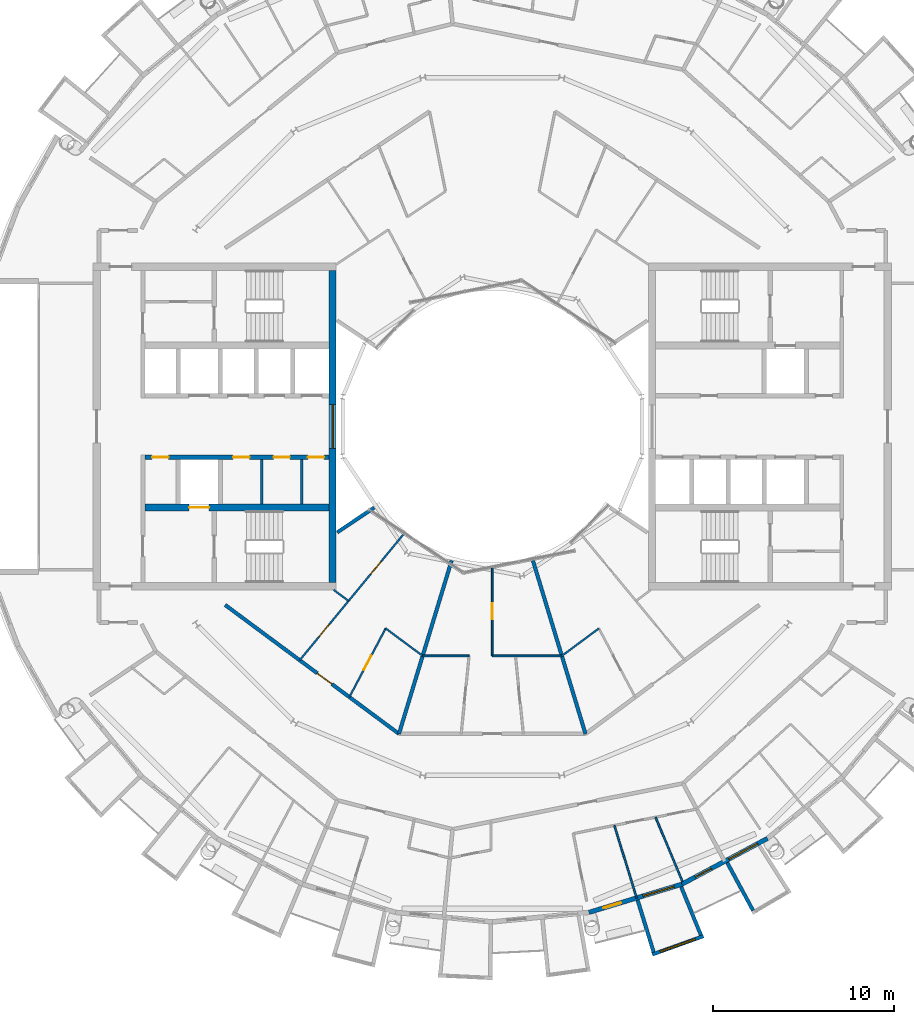
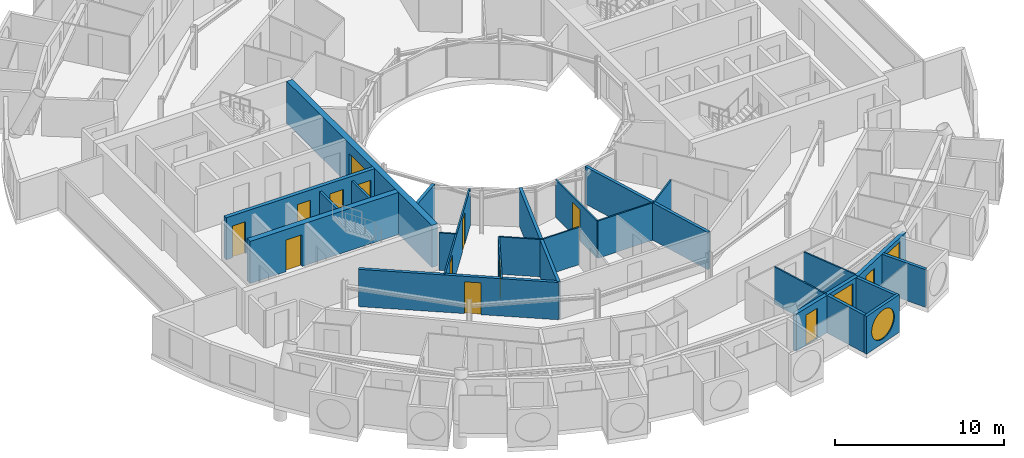
# One storey, part 17 of 28: 25 walls, 12 doors, 4 windows, 16 openings.
"""IFC4 building model written with IfcOpenShell, lengths in metres."""

from ifc_helpers import new_model, si_unit, direction, frame, frame_2d, origin, place, context, subcontext, project, spatial, rectangle, circle, extrude, material, layer, layer_set, type_object, element, fill, save


model = new_model("IFC4")

# Units and contexts
model_context = context("Model", 3, precision=1e-05, world=origin(), true_north=direction((0.0, 1.0)))
body_context = subcontext(model_context, "Body", "Model", "MODEL_VIEW")
ifc_project = project(units=[si_unit("LENGTHUNIT", "METRE"), si_unit("AREAUNIT", "SQUARE_METRE"), si_unit("VOLUMEUNIT", "CUBIC_METRE"), si_unit("PLANEANGLEUNIT", "RADIAN"), si_unit("MASSUNIT", "GRAM", prefix="KILO")], contexts=[model_context])

# Site, building, storey
site_placement = place(None, origin())
site = spatial("IfcSite", under=ifc_project, at=site_placement, CompositionType="ELEMENT")
building_placement = place(site_placement, origin())
building = spatial("IfcBuilding", under=site, at=building_placement, Name="Maasbend Ring Residences", CompositionType="ELEMENT")
storey_placement = place(building_placement, frame((0.0, 0.0, 231.0)))
storey = spatial("IfcBuildingStorey", under=building, at=storey_placement, Name="L66", CompositionType="ELEMENT", Elevation=231.0)

# Wall, openings, doors
ifc_material_1 = material(Name="Concrete C50/60", Category="concrete")
ifc_layer_1 = layer(ifc_material_1, 0.25)
ifc_layer_set_1 = layer_set([ifc_layer_1], Name="Concrete C50/60")
wall_type_1 = type_object("IfcWallType", Name="CORE WALL 250 C50/60", PredefinedType="SHEAR", material=ifc_layer_set_1)
wall_1_placement = place(storey_placement, frame((-9.0, -1.699951171875, 0.0), z_axis=(0.0, 0.0, 1.0), x_axis=(-1.0, 0.0, 0.0)))
wall_1 = element("IfcWall", 1, at=wall_1_placement, inside=storey, type_object=wall_type_1, Name="L66 core W wall SPN", PredefinedType="SHEAR", context=body_context, shape_type="SweptSolid", body=[
    extrude(rectangle(XDim=10.14990234375, YDim=0.25, at=frame_2d((5.074951171875, 0.0))), origin(), (0.0, 0.0, 1.0), 3.050048828125),
])
opening_1_placement = place(wall_1_placement, frame((0.262451171875, 0.0, 0.0)))
opening_1 = element("IfcOpeningElement", 2, at=opening_1_placement, cuts=wall_1, Name="Opening D-W6606", PredefinedType="OPENING", context=body_context, shape_type="SweptSolid", body=[
    extrude(rectangle(XDim=0.89990234375, YDim=2.300048828125, at=frame_2d((0.449951171875, 1.14990234375))), frame((0.0, 0.135009765625, 0.0), z_axis=(0.0, -1.0, 0.0), x_axis=(1.0, 0.0, 0.0)), (0.0, 0.0, 1.0), 0.27001953125),
])
opening_2_placement = place(wall_1_placement, frame((2.14990234375, 0.0, 0.0)))
opening_2 = element("IfcOpeningElement", 3, at=opening_2_placement, cuts=wall_1, Name="Opening D-W6607", PredefinedType="OPENING", context=body_context, shape_type="SweptSolid", body=[
    extrude(rectangle(XDim=0.89990234375, YDim=2.300048828125, at=frame_2d((0.449951171875, 1.14990234375))), frame((0.0, 0.135009765625, 0.0), z_axis=(0.0, -1.0, 0.0), x_axis=(1.0, 0.0, 0.0)), (0.0, 0.0, 1.0), 0.27001953125),
])
opening_3_placement = place(wall_1_placement, frame((4.375, 0.0, 0.0)))
opening_3 = element("IfcOpeningElement", 4, at=opening_3_placement, cuts=wall_1, Name="Opening D-W6608", PredefinedType="OPENING", context=body_context, shape_type="SweptSolid", body=[
    extrude(rectangle(XDim=0.89990234375, YDim=2.300048828125, at=frame_2d((0.449951171875, 1.14990234375))), frame((0.0, 0.135009765625, 0.0), z_axis=(0.0, -1.0, 0.0), x_axis=(1.0, 0.0, 0.0)), (0.0, 0.0, 1.0), 0.27001953125),
])
opening_4_placement = place(wall_1_placement, frame((8.83740234375, 0.0, 0.0)))
opening_4 = element("IfcOpeningElement", 5, at=opening_4_placement, cuts=wall_1, Name="Opening D-W6609", PredefinedType="OPENING", context=body_context, shape_type="SweptSolid", body=[
    extrude(rectangle(XDim=0.89990234375, YDim=2.300048828125, at=frame_2d((0.449951171875, 1.14990234375))), frame((0.0, 0.135009765625, 0.0), z_axis=(0.0, -1.0, 0.0), x_axis=(1.0, 0.0, 0.0)), (0.0, 0.0, 1.0), 0.27001953125),
])
ifc_material_2 = material(Name="Steel, powder coated", Category="steel")
door_type_1 = type_object("IfcDoorType", Name="ROOM DOOR 900 X 2300 FD30S", OperationType="NOTDEFINED", PredefinedType="DOOR", material=ifc_material_2)
door_1_placement = place(opening_1_placement, origin())
door_1 = element("IfcDoor", 6, at=door_1_placement, inside=storey, type_object=door_type_1, Name="Room door L66", OperationType="SINGLE_SWING_RIGHT", OverallHeight=2.300048828125, OverallWidth=0.89990234375, PredefinedType="DOOR", context=body_context, shape_type="SweptSolid", body=[
    extrude(rectangle(XDim=0.89990234375, YDim=2.300048828125, at=frame_2d((0.449951171875, 1.14990234375))), frame((0.0, 0.02490234375, 0.0), z_axis=(0.0, -1.0, 0.0), x_axis=(1.0, 0.0, 0.0)), (0.0, 0.0, 1.0), 0.050048828125),
])
fill(opening_1, door_1)
door_2_placement = place(opening_2_placement, origin())
door_2 = element("IfcDoor", 7, at=door_2_placement, inside=storey, type_object=door_type_1, Name="Room door L66", OperationType="SINGLE_SWING_RIGHT", OverallHeight=2.300048828125, OverallWidth=0.89990234375, PredefinedType="DOOR", context=body_context, shape_type="SweptSolid", body=[
    extrude(rectangle(XDim=0.89990234375, YDim=2.300048828125, at=frame_2d((0.449951171875, 1.14990234375))), frame((0.0, 0.02490234375, 0.0), z_axis=(0.0, -1.0, 0.0), x_axis=(1.0, 0.0, 0.0)), (0.0, 0.0, 1.0), 0.050048828125),
])
fill(opening_2, door_2)
door_3_placement = place(opening_3_placement, origin())
door_3 = element("IfcDoor", 8, at=door_3_placement, inside=storey, type_object=door_type_1, Name="Room door L66", OperationType="SINGLE_SWING_RIGHT", OverallHeight=2.300048828125, OverallWidth=0.89990234375, PredefinedType="DOOR", context=body_context, shape_type="SweptSolid", body=[
    extrude(rectangle(XDim=0.89990234375, YDim=2.300048828125, at=frame_2d((0.449951171875, 1.14990234375))), frame((0.0, 0.02490234375, 0.0), z_axis=(0.0, -1.0, 0.0), x_axis=(1.0, 0.0, 0.0)), (0.0, 0.0, 1.0), 0.050048828125),
])
fill(opening_3, door_3)
door_4_placement = place(opening_4_placement, origin())
door_4 = element("IfcDoor", 9, at=door_4_placement, inside=storey, type_object=door_type_1, Name="Room door L66", OperationType="SINGLE_SWING_LEFT", OverallHeight=2.300048828125, OverallWidth=0.89990234375, PredefinedType="DOOR", context=body_context, shape_type="SweptSolid", body=[
    extrude(rectangle(XDim=0.89990234375, YDim=2.300048828125, at=frame_2d((0.449951171875, 1.14990234375))), frame((0.0, 0.02490234375, 0.0), z_axis=(0.0, -1.0, 0.0), x_axis=(1.0, 0.0, 0.0)), (0.0, 0.0, 1.0), 0.050048828125),
])
fill(opening_4, door_4)

# Wall, opening, door
ifc_material_3 = material(Name="Concrete C50/60", Category="concrete")
ifc_layer_2 = layer(ifc_material_3, 0.375)
ifc_layer_set_2 = layer_set([ifc_layer_2], Name="Concrete C50/60")
wall_type_2 = type_object("IfcWallType", Name="CORE WALL 375 C50/60", PredefinedType="SHEAR", material=ifc_layer_set_2)
wall_2_placement = place(storey_placement, frame((-9.0, -4.46240234375, 0.0), z_axis=(0.0, 0.0, 1.0), x_axis=(-1.0, 0.0, 0.0)))
wall_2 = element("IfcWall", 10, at=wall_2_placement, inside=storey, type_object=wall_type_2, Name="L66 core W wall BN", PredefinedType="SHEAR", context=body_context, shape_type="SweptSolid", body=[
    extrude(rectangle(XDim=10.14990234375, YDim=0.375, at=frame_2d((5.074951171875, 0.0))), origin(), (0.0, 0.0, 1.0), 3.050048828125),
])
opening_5_placement = place(wall_2_placement, frame((6.60009765625, 0.0, 0.0)))
opening_5 = element("IfcOpeningElement", 11, at=opening_5_placement, cuts=wall_2, Name="Opening LD-W6601", PredefinedType="OPENING", context=body_context, shape_type="SweptSolid", body=[
    extrude(rectangle(XDim=1.10009765625, YDim=2.300048828125, at=frame_2d((0.550048828125, 1.14990234375))), frame((0.0, 0.197509765625, 0.0), z_axis=(0.0, -1.0, 0.0), x_axis=(1.0, 0.0, 0.0)), (0.0, 0.0, 1.0), 0.39501953125),
])
ifc_material_4 = material(Name="Stainless steel 316", Category="steel")
door_type_2 = type_object("IfcDoorType", Name="LANDING DOOR 1100 X 2300 FD60", OperationType="DOUBLE_DOOR_SLIDING", PredefinedType="DOOR", material=ifc_material_4)
door_5_placement = place(opening_5_placement, origin())
door_5 = element("IfcDoor", 12, at=door_5_placement, inside=storey, type_object=door_type_2, Name="Landing door FF-W L66", OperationType="DOUBLE_DOOR_SLIDING", OverallHeight=2.300048828125, OverallWidth=1.10009765625, PredefinedType="DOOR", context=body_context, shape_type="SweptSolid", body=[
    extrude(rectangle(XDim=1.10009765625, YDim=2.300048828125, at=frame_2d((0.550048828125, 1.14990234375))), frame((0.0, 0.02490234375, 0.0), z_axis=(0.0, -1.0, 0.0), x_axis=(1.0, 0.0, 0.0)), (0.0, 0.0, 1.0), 0.050048828125),
])
fill(opening_5, door_5)

# Wall, opening, window
ifc_material_5 = material(Name="Concrete C50/60", Category="concrete")
ifc_layer_3 = layer(ifc_material_5, 0.39990234375)
ifc_layer_set_3 = layer_set([ifc_layer_3], Name="Concrete C50/60")
wall_type_3 = type_object("IfcWallType", Name="CORE WALL 400 C50/60", PredefinedType="SHEAR", material=ifc_layer_set_3)
wall_3_placement = place(storey_placement, frame((-8.800048828125, 8.60009765625, 0.0), z_axis=(0.0, 0.0, 1.0), x_axis=(0.0, -1.0, 0.0)))
wall_3 = element("IfcWall", 13, at=wall_3_placement, inside=storey, type_object=wall_type_3, Name="L66 core W wall PIN", PredefinedType="SHEAR", context=body_context, shape_type="SweptSolid", body=[
    extrude(rectangle(XDim=17.2001953125, YDim=0.39990234375, at=frame_2d((8.60009765625, 0.0))), origin(), (0.0, 0.0, 1.0), 3.050048828125),
])
opening_6_placement = place(wall_3_placement, frame((7.39990234375, 0.0, 0.10009765625)))
opening_6 = element("IfcOpeningElement", 14, at=opening_6_placement, cuts=wall_3, Name="Opening W-W6601", PredefinedType="OPENING", context=body_context, shape_type="SweptSolid", body=[
    extrude(rectangle(XDim=2.39990234375, YDim=2.199951171875, at=frame_2d((1.199951171875, 1.10009765625))), frame((0.0, 0.2099609375, 0.0), z_axis=(0.0, -1.0, 0.0), x_axis=(1.0, 0.0, 0.0)), (0.0, 0.0, 1.0), 0.419921875),
])
ifc_material_6 = material(Name="Aluminium frame and clear glass", Category="aluminium")
window_type_1 = type_object("IfcWindowType", Name="FIXED WINDOW 2400 X 2200", PartitioningType="SINGLE_PANEL", PredefinedType="WINDOW", material=ifc_material_6)
window_1_placement = place(opening_6_placement, origin())
window_1 = element("IfcWindow", 15, at=window_1_placement, inside=storey, type_object=window_type_1, Name="Lobby window L66", OverallHeight=2.199951171875, OverallWidth=2.39990234375, PartitioningType="SINGLE_PANEL", PredefinedType="WINDOW", context=body_context, shape_type="SweptSolid", body=[
    extrude(rectangle(XDim=2.39990234375, YDim=2.199951171875, at=frame_2d((1.199951171875, 1.10009765625))), frame((0.0, 0.030029296875, 0.0), z_axis=(0.0, -1.0, 0.0), x_axis=(1.0, 0.0, 0.0)), (0.0, 0.0, 1.0), 0.06005859375),
])
fill(opening_6, window_1)

# Wall, opening, door
ifc_material_7 = material(Name="Concrete C30/37", Category="concrete")
ifc_layer_4 = layer(ifc_material_7, 0.199951171875)
ifc_layer_set_4 = layer_set([ifc_layer_4], Name="Concrete C30/37")
wall_type_4 = type_object("IfcWallType", Name="CORRIDOR WALL 200 CONCRETE", PredefinedType="PARTITIONING", material=ifc_layer_set_4)
wall_4_placement = place(storey_placement, frame((-14.718017578125, -9.8330078125, 0.0), z_axis=(0.0, 0.0, 1.0), x_axis=(0.803240181354, -0.595655278712, 0.0)))
wall_4 = element("IfcWall", 16, at=wall_4_placement, inside=storey, type_object=wall_type_4, Name="U-L66-w018", PredefinedType="PARTITIONING", context=body_context, shape_type="SweptSolid", body=[
    extrude(rectangle(XDim=11.927978515625, YDim=0.199951171875, at=frame_2d((5.9638671875, 0.0))), origin(), (0.0, 0.0, 1.0), 2.699951171875),
])
opening_7_placement = place(wall_4_placement, frame((6.31591796875, 0.0, 0.0)))
opening_7 = element("IfcOpeningElement", 17, at=opening_7_placement, cuts=wall_4, Name="Opening D-6645", PredefinedType="OPENING", context=body_context, shape_type="SweptSolid", body=[
    extrude(rectangle(XDim=1.0, YDim=2.300048828125, at=frame_2d((0.5, 1.14990234375))), frame((0.0, 0.10986328125, 0.0), z_axis=(0.0, -1.0, 0.0), x_axis=(1.0, 0.0, 0.0)), (0.0, 0.0, 1.0), 0.219970703125),
])
ifc_material_8 = material(Name="Timber, fire-rated, painted", Category="wood")
door_type_3 = type_object("IfcDoorType", Name="FLAT ENTRANCE DOOR 1000 X 2300 FIRE-RATED", OperationType="NOTDEFINED", PredefinedType="DOOR", material=ifc_material_8)
door_6_placement = place(opening_7_placement, origin())
door_6 = element("IfcDoor", 18, at=door_6_placement, inside=storey, type_object=door_type_3, Name="D-6645", OperationType="SINGLE_SWING_RIGHT", OverallHeight=2.300048828125, OverallWidth=1.0, PredefinedType="DOOR", context=body_context, shape_type="SweptSolid", body=[
    extrude(rectangle(XDim=1.0, YDim=2.300048828125, at=frame_2d((0.5, 1.14990234375))), frame((0.0, 0.02490234375, 0.0), z_axis=(0.0, -1.0, 0.0), x_axis=(1.0, 0.0, 0.0)), (0.0, 0.0, 1.0), 0.050048828125),
])
fill(opening_7, door_6)

# Wall, opening, window
ifc_material_9 = material(Name="Pale anodised aluminium panel", Category="aluminium")
ifc_layer_5 = layer(ifc_material_9, 0.199951171875)
ifc_layer_set_5 = layer_set([ifc_layer_5], Name="EW-BOX")
wall_type_5 = type_object("IfcWallType", Name="EW-BOX", PredefinedType="SOLIDWALL", material=ifc_layer_set_5)
wall_5_placement = place(storey_placement, frame((8.820068359375, -29.093017578125, -0.030029296875), z_axis=(0.0, 0.0, 1.0), x_axis=(0.941461077774, 0.337121697664, 0.0)))
wall_5 = element("IfcWall", 19, at=wall_5_placement, inside=storey, type_object=wall_type_5, Name="Box front S14", PredefinedType="SOLIDWALL", context=body_context, shape_type="SweptSolid", body=[
    extrude(rectangle(XDim=2.9931640625, YDim=0.199951171875, at=frame_2d((1.49658203125, 0.0))), origin(), (0.0, 0.0, 1.0), 2.72998046875),
])
opening_8_placement = place(wall_5_placement, frame((0.45654296875, 0.0, 0.330078125)))
opening_8 = element("IfcOpeningElement", 20, at=opening_8_placement, cuts=wall_5, Name="Opening W-RD", PredefinedType="OPENING", context=body_context, shape_type="SweptSolid", body=[
    extrude(circle(Radius=1.0400390625, at=frame_2d((1.0400390625, 1.0400390625))), frame((0.0, 0.10986328125, 0.0), z_axis=(0.0, -1.0, 0.0), x_axis=(1.0, 0.0, 0.0)), (0.0, 0.0, 1.0), 0.219970703125),
])
ifc_material_10 = material(Name="Aluminium and clear glass", Category="aluminium")
window_type_2 = type_object("IfcWindowType", Name="W-RD", PartitioningType="SINGLE_PANEL", PredefinedType="WINDOW", material=ifc_material_10)
window_2_placement = place(opening_8_placement, origin())
window_2 = element("IfcWindow", 21, at=window_2_placement, inside=storey, type_object=window_type_2, Name="Round window S14", OverallHeight=2.080078125, OverallWidth=2.080078125, PartitioningType="SINGLE_PANEL", PredefinedType="WINDOW", context=body_context, shape_type="SweptSolid", body=[
    extrude(circle(Radius=1.0400390625, at=frame_2d((1.0400390625, 1.0400390625))), frame((0.0, 0.030029296875, 0.0), z_axis=(0.0, -1.0, 0.0), x_axis=(1.0, 0.0, 0.0)), (0.0, 0.0, 1.0), 0.06005859375),
])
fill(opening_8, window_2)

# Walls
wall_6_placement = place(storey_placement, frame((8.009033203125, -26.092041015625, -0.030029296875), z_axis=(0.0, 0.0, 1.0), x_axis=(0.293406695073, -0.955987715029, 0.0)))
element("IfcWall", 22, at=wall_6_placement, inside=storey, type_object=wall_type_5, Name="Box side wall S14 left", PredefinedType="SOLIDWALL", context=body_context, shape_type="SweptSolid", body=[
    extrude(rectangle(XDim=3.00634765625, YDim=0.199951171875, at=frame_2d((1.503173828125, 0.0))), origin(), (0.0, 0.0, 1.0), 2.72998046875),
])
wall_7_placement = place(storey_placement, frame((10.408935546875, -25.364013671875, -0.030029296875), z_axis=(0.0, 0.0, 1.0), x_axis=(0.379509886562, -0.925187681501, 0.0)))
element("IfcWall", 23, at=wall_7_placement, inside=storey, type_object=wall_type_5, Name="Box side wall S14 right", PredefinedType="SOLIDWALL", context=body_context, shape_type="SweptSolid", body=[
    extrude(rectangle(XDim=2.882568359375, YDim=0.199951171875, at=frame_2d((1.44140625, 0.0))), origin(), (0.0, 0.0, 1.0), 2.72998046875),
])
wall_8_placement = place(storey_placement, frame((12.945068359375, -24.029052734375, -0.030029296875), z_axis=(0.0, 0.0, 1.0), x_axis=(0.474424310775, -0.88029629861, 0.0)))
element("IfcWall", 24, at=wall_8_placement, inside=storey, type_object=wall_type_5, Name="Box side wall S16 left", PredefinedType="SOLIDWALL", context=body_context, shape_type="SweptSolid", body=[
    extrude(rectangle(XDim=3.005859375, YDim=0.199951171875, at=frame_2d((1.5029296875, 0.0))), origin(), (0.0, 0.0, 1.0), 2.72998046875),
])

# Wall, openings, door, window
ifc_material_11 = material(Name="Aluminium clad insulated panel", Category="aluminium")
ifc_layer_6 = layer(ifc_material_11, 0.25)
ifc_layer_set_6 = layer_set([ifc_layer_6], Name="EW-GL")
wall_type_6 = type_object("IfcWallType", Name="EW-GL", PredefinedType="SOLIDWALL", material=ifc_layer_set_6)
wall_9_placement = place(storey_placement, frame((5.325927734375, -26.77490234375, 0.0), z_axis=(0.0, 0.0, 1.0), x_axis=(0.956965678721, 0.290201119486, 0.0)))
wall_9 = element("IfcWall", 25, at=wall_9_placement, inside=storey, type_object=wall_type_6, Name="External wall S07", PredefinedType="SOLIDWALL", context=body_context, shape_type="SweptSolid", body=[
    extrude(rectangle(XDim=5.351318359375, YDim=0.25, at=frame_2d((2.67578125, 0.0))), origin(), (0.0, 0.0, 1.0), 2.699951171875),
])
opening_9_placement = place(wall_9_placement, frame((0.841064453125, 0.0, 0.0)))
opening_9 = element("IfcOpeningElement", 26, at=opening_9_placement, cuts=wall_9, Name="Opening D-LG", PredefinedType="OPENING", context=body_context, shape_type="SweptSolid", body=[
    extrude(rectangle(XDim=1.0, YDim=2.199951171875, at=frame_2d((0.5, 1.10009765625))), frame((0.0, 0.135009765625, 0.0), z_axis=(0.0, -1.0, 0.0), x_axis=(1.0, 0.0, 0.0)), (0.0, 0.0, 1.0), 0.27001953125),
])
opening_10_placement = place(wall_9_placement, frame((3.110595703125, 0.0, 0.300048828125)))
opening_10 = element("IfcOpeningElement", 27, at=opening_10_placement, cuts=wall_9, Name="Opening W-BX", PredefinedType="OPENING", context=body_context, shape_type="SweptSolid", body=[
    extrude(rectangle(XDim=1.800048828125, YDim=2.10009765625, at=frame_2d((0.89990234375, 1.050048828125))), frame((0.0, 0.135009765625, 0.0), z_axis=(0.0, -1.0, 0.0), x_axis=(1.0, 0.0, 0.0)), (0.0, 0.0, 1.0), 0.27001953125),
])
ifc_material_12 = material(Name="Aluminium and clear glass", Category="aluminium")
door_type_4 = type_object("IfcDoorType", Name="D-LG", OperationType="SINGLE_SWING_LEFT", PredefinedType="DOOR", material=ifc_material_12)
door_7_placement = place(opening_9_placement, origin())
door_7 = element("IfcDoor", 28, at=door_7_placement, inside=storey, type_object=door_type_4, Name="Loggia door S13", OperationType="SINGLE_SWING_LEFT", OverallHeight=2.199951171875, OverallWidth=1.0, PredefinedType="DOOR", context=body_context, shape_type="SweptSolid", body=[
    extrude(rectangle(XDim=1.0, YDim=2.199951171875, at=frame_2d((0.5, 1.10009765625))), frame((0.0, 0.02490234375, 0.0), z_axis=(0.0, -1.0, 0.0), x_axis=(1.0, 0.0, 0.0)), (0.0, 0.0, 1.0), 0.050048828125),
])
fill(opening_9, door_7)
ifc_material_13 = material(Name="Aluminium and clear glass", Category="aluminium")
window_type_3 = type_object("IfcWindowType", Name="W-BX", PartitioningType="DOUBLE_PANEL_VERTICAL", PredefinedType="WINDOW", material=ifc_material_13)
window_3_placement = place(opening_10_placement, origin())
window_3 = element("IfcWindow", 29, at=window_3_placement, inside=storey, type_object=window_type_3, Name="Window S14 room to box", OverallHeight=2.10009765625, OverallWidth=1.800048828125, PartitioningType="SINGLE_PANEL", PredefinedType="WINDOW", context=body_context, shape_type="SweptSolid", body=[
    extrude(rectangle(XDim=1.800048828125, YDim=2.10009765625, at=frame_2d((0.89990234375, 1.050048828125))), frame((0.0, 0.030029296875, 0.0), z_axis=(0.0, -1.0, 0.0), x_axis=(1.0, 0.0, 0.0)), (0.0, 0.0, 1.0), 0.06005859375),
])
fill(opening_10, window_3)

wall_10_placement = place(storey_placement, frame((10.447021484375, -25.221923828125, 0.0), z_axis=(0.0, 0.0, 1.0), x_axis=(0.881915646801, 0.471407246368, 0.0)))
wall_10 = element("IfcWall", 30, at=wall_10_placement, inside=storey, type_object=wall_type_6, Name="External wall S08", PredefinedType="SOLIDWALL", context=body_context, shape_type="SweptSolid", body=[
    extrude(rectangle(XDim=5.35205078125, YDim=0.25, at=frame_2d((2.676025390625, 0.0))), origin(), (0.0, 0.0, 1.0), 2.699951171875),
])
opening_11_placement = place(wall_10_placement, frame((0.841064453125, 0.0, 0.0)))
opening_11 = element("IfcOpeningElement", 31, at=opening_11_placement, cuts=wall_10, Name="Opening D-LG", PredefinedType="OPENING", context=body_context, shape_type="SweptSolid", body=[
    extrude(rectangle(XDim=1.0, YDim=2.199951171875, at=frame_2d((0.5, 1.10009765625))), frame((0.0, 0.135009765625, 0.0), z_axis=(0.0, -1.0, 0.0), x_axis=(1.0, 0.0, 0.0)), (0.0, 0.0, 1.0), 0.27001953125),
])
opening_12_placement = place(wall_10_placement, frame((2.935791015625, 0.0, 0.300048828125)))
opening_12 = element("IfcOpeningElement", 32, at=opening_12_placement, cuts=wall_10, Name="Opening W-BX", PredefinedType="OPENING", context=body_context, shape_type="SweptSolid", body=[
    extrude(rectangle(XDim=1.800048828125, YDim=2.10009765625, at=frame_2d((0.89990234375, 1.050048828125))), frame((0.0, 0.135009765625, 0.0), z_axis=(0.0, -1.0, 0.0), x_axis=(1.0, 0.0, 0.0)), (0.0, 0.0, 1.0), 0.27001953125),
])
door_8_placement = place(opening_11_placement, origin())
door_8 = element("IfcDoor", 33, at=door_8_placement, inside=storey, type_object=door_type_4, Name="Loggia door S15", OperationType="SINGLE_SWING_LEFT", OverallHeight=2.199951171875, OverallWidth=1.0, PredefinedType="DOOR", context=body_context, shape_type="SweptSolid", body=[
    extrude(rectangle(XDim=1.0, YDim=2.199951171875, at=frame_2d((0.5, 1.10009765625))), frame((0.0, 0.02490234375, 0.0), z_axis=(0.0, -1.0, 0.0), x_axis=(1.0, 0.0, 0.0)), (0.0, 0.0, 1.0), 0.050048828125),
])
fill(opening_11, door_8)
window_4_placement = place(opening_12_placement, origin())
window_4 = element("IfcWindow", 34, at=window_4_placement, inside=storey, type_object=window_type_3, Name="Window S16 room to box", OverallHeight=2.10009765625, OverallWidth=1.800048828125, PartitioningType="SINGLE_PANEL", PredefinedType="WINDOW", context=body_context, shape_type="SweptSolid", body=[
    extrude(rectangle(XDim=1.800048828125, YDim=2.10009765625, at=frame_2d((0.89990234375, 1.050048828125))), frame((0.0, 0.030029296875, 0.0), z_axis=(0.0, -1.0, 0.0), x_axis=(1.0, 0.0, 0.0)), (0.0, 0.0, 1.0), 0.06005859375),
])
fill(opening_12, window_4)

# Walls
ifc_material_14 = material(Name="Gypsum board on steel studs", Category="steel")
ifc_layer_7 = layer(ifc_material_14, 0.10009765625)
ifc_layer_set_7 = layer_set([ifc_layer_7], Name="PARTITION 100 GYPSUM")
wall_type_7 = type_object("IfcWallType", Name="PARTITION 100 GYPSUM", PredefinedType="PARTITIONING", material=ifc_layer_set_7)
wall_11_placement = place(storey_placement, frame((-3.833984375, -12.639892578125, 0.0), z_axis=(0.0, 0.0, 1.0), x_axis=(1.0, 0.0, 0.0)))
element("IfcWall", 35, at=wall_11_placement, inside=storey, type_object=wall_type_7, Name="U-L66-w020", PredefinedType="PARTITIONING", context=body_context, shape_type="SweptSolid", body=[
    extrude(rectangle(XDim=2.555908203125, YDim=0.10009765625, at=frame_2d((1.27783203125, 0.0))), origin(), (0.0, 0.0, 1.0), 2.699951171875),
])
wall_12_placement = place(storey_placement, frame((0.0, -12.639892578125, 0.0), z_axis=(0.0, 0.0, 1.0), x_axis=(1.0, 0.0, 0.0)))
element("IfcWall", 36, at=wall_12_placement, inside=storey, type_object=wall_type_7, Name="U-L66-w021", PredefinedType="PARTITIONING", context=body_context, shape_type="SweptSolid", body=[
    extrude(rectangle(XDim=3.833984375, YDim=0.10009765625, at=frame_2d((1.9169921875, 0.0))), origin(), (0.0, 0.0, 1.0), 2.699951171875),
])
wall_13_placement = place(storey_placement, frame((-8.742919921875, -9.0, 0.0), z_axis=(0.0, 0.0, 1.0), x_axis=(0.80321556998, -0.595688465677, 0.0)))
element("IfcWall", 37, at=wall_13_placement, inside=storey, type_object=wall_type_7, Name="U-L66-w022", PredefinedType="PARTITIONING", context=body_context, shape_type="SweptSolid", body=[
    extrude(rectangle(XDim=1.02587890625, YDim=0.10009765625, at=frame_2d((0.512939453125, 0.0))), origin(), (0.0, 0.0, 1.0), 2.699951171875),
])
for number, where, z_axis, x_axis, name in (
    (38, (-5.876953125, -11.125, 0.0), (0.0, 0.0, 1.0), (0.803259509791, -0.595629213463, 0.0), "U-L66-w023"),
    (39, (3.833984375, -12.639892578125, 0.0), (0.0, 0.0, 1.0), (0.803259509791, 0.595629213463, 0.0), "U-L66-w024"),
):
    element("IfcWall", number, at=place(storey_placement, frame(where, z_axis=z_axis, x_axis=x_axis)), inside=storey, type_object=wall_type_7, Name=name, PredefinedType="PARTITIONING", context=body_context, shape_type="SweptSolid", body=[
        extrude(rectangle(XDim=2.54345703125, YDim=0.10009765625, at=frame_2d((1.271728515625, 0.0))), origin(), (0.0, 0.0, 1.0), 2.699951171875),
    ])

# Wall, openings, doors
wall_14_placement = place(storey_placement, frame((-10.612060546875, -12.8779296875, 0.0), z_axis=(0.0, 0.0, 1.0), x_axis=(0.636115614725, 0.771593756262, 0.0)))
wall_14 = element("IfcWall", 40, at=wall_14_placement, inside=storey, type_object=wall_type_7, Name="U-L66-w040", PredefinedType="PARTITIONING", context=body_context, shape_type="SweptSolid", body=[
    extrude(rectangle(XDim=8.967041015625, YDim=0.10009765625, at=frame_2d((4.4833984375, 0.0))), origin(), (0.0, 0.0, 1.0), 2.699951171875),
])
opening_13_placement = place(wall_14_placement, frame((1.6669921875, 0.0, 0.0)))
opening_13 = element("IfcOpeningElement", 41, at=opening_13_placement, cuts=wall_14, Name="Opening D-6647", PredefinedType="OPENING", context=body_context, shape_type="SweptSolid", body=[
    extrude(rectangle(XDim=0.89990234375, YDim=2.300048828125, at=frame_2d((0.449951171875, 1.14990234375))), frame((0.0, 0.06005859375, 0.0), z_axis=(0.0, -1.0, 0.0), x_axis=(1.0, 0.0, 0.0)), (0.0, 0.0, 1.0), 0.1201171875),
])
opening_14_placement = place(wall_14_placement, frame((6.15087890625, 0.0, 0.0)))
opening_14 = element("IfcOpeningElement", 42, at=opening_14_placement, cuts=wall_14, Name="Opening D-6648", PredefinedType="OPENING", context=body_context, shape_type="SweptSolid", body=[
    extrude(rectangle(XDim=0.89990234375, YDim=2.300048828125, at=frame_2d((0.449951171875, 1.14990234375))), frame((0.0, 0.06005859375, 0.0), z_axis=(0.0, -1.0, 0.0), x_axis=(1.0, 0.0, 0.0)), (0.0, 0.0, 1.0), 0.1201171875),
])
ifc_material_15 = material(Name="Timber, painted", Category="wood")
door_type_5 = type_object("IfcDoorType", Name="INTERNAL DOOR 900 X 2300", OperationType="NOTDEFINED", PredefinedType="DOOR", material=ifc_material_15)
door_9_placement = place(opening_13_placement, origin())
door_9 = element("IfcDoor", 43, at=door_9_placement, inside=storey, type_object=door_type_5, Name="D-6647", OperationType="SINGLE_SWING_LEFT", OverallHeight=2.300048828125, OverallWidth=0.89990234375, PredefinedType="DOOR", context=body_context, shape_type="SweptSolid", body=[
    extrude(rectangle(XDim=0.89990234375, YDim=2.300048828125, at=frame_2d((0.449951171875, 1.14990234375))), frame((0.0, 0.02490234375, 0.0), z_axis=(0.0, -1.0, 0.0), x_axis=(1.0, 0.0, 0.0)), (0.0, 0.0, 1.0), 0.050048828125),
])
fill(opening_13, door_9)
door_10_placement = place(opening_14_placement, origin())
door_10 = element("IfcDoor", 44, at=door_10_placement, inside=storey, type_object=door_type_5, Name="D-6648", OperationType="SINGLE_SWING_RIGHT", OverallHeight=2.300048828125, OverallWidth=0.89990234375, PredefinedType="DOOR", context=body_context, shape_type="SweptSolid", body=[
    extrude(rectangle(XDim=0.89990234375, YDim=2.300048828125, at=frame_2d((0.449951171875, 1.14990234375))), frame((0.0, 0.02490234375, 0.0), z_axis=(0.0, -1.0, 0.0), x_axis=(1.0, 0.0, 0.0)), (0.0, 0.0, 1.0), 0.050048828125),
])
fill(opening_14, door_10)

# Wall, opening, door
wall_15_placement = place(storey_placement, frame((-7.8740234375, -14.908935546875, 0.0), z_axis=(0.0, 0.0, 1.0), x_axis=(0.467030118529, 0.884241408432, 0.0)))
wall_15 = element("IfcWall", 45, at=wall_15_placement, inside=storey, type_object=wall_type_7, Name="U-L66-w046", PredefinedType="PARTITIONING", context=body_context, shape_type="SweptSolid", body=[
    extrude(rectangle(XDim=4.278076171875, YDim=0.10009765625, at=frame_2d((2.13916015625, 0.0))), origin(), (0.0, 0.0, 1.0), 2.699951171875),
])
opening_15_placement = place(wall_15_placement, frame((1.68994140625, 0.0, 0.0)))
opening_15 = element("IfcOpeningElement", 46, at=opening_15_placement, cuts=wall_15, Name="Opening D-6646", PredefinedType="OPENING", context=body_context, shape_type="SweptSolid", body=[
    extrude(rectangle(XDim=0.89990234375, YDim=2.300048828125, at=frame_2d((0.449951171875, 1.14990234375))), frame((0.0, 0.06005859375, 0.0), z_axis=(0.0, -1.0, 0.0), x_axis=(1.0, 0.0, 0.0)), (0.0, 0.0, 1.0), 0.1201171875),
])
door_11_placement = place(opening_15_placement, origin())
door_11 = element("IfcDoor", 47, at=door_11_placement, inside=storey, type_object=door_type_5, Name="D-6646", OperationType="SINGLE_SWING_RIGHT", OverallHeight=2.300048828125, OverallWidth=0.89990234375, PredefinedType="DOOR", context=body_context, shape_type="SweptSolid", body=[
    extrude(rectangle(XDim=0.89990234375, YDim=2.300048828125, at=frame_2d((0.449951171875, 1.14990234375))), frame((0.0, 0.02490234375, 0.0), z_axis=(0.0, -1.0, 0.0), x_axis=(1.0, 0.0, 0.0)), (0.0, 0.0, 1.0), 0.050048828125),
])
fill(opening_15, door_11)

wall_16_placement = place(storey_placement, frame((0.0, -12.639892578125, 0.0), z_axis=(0.0, 0.0, 1.0), x_axis=(0.0, 1.0, 0.0)))
wall_16 = element("IfcWall", 48, at=wall_16_placement, inside=storey, type_object=wall_type_7, Name="U-L66-w055", PredefinedType="PARTITIONING", context=body_context, shape_type="SweptSolid", body=[
    extrude(rectangle(XDim=4.919921875, YDim=0.10009765625, at=frame_2d((2.4599609375, 0.0))), origin(), (0.0, 0.0, 1.0), 2.699951171875),
])
opening_16_placement = place(wall_16_placement, frame((2.010009765625, 0.0, 0.0)))
opening_16 = element("IfcOpeningElement", 49, at=opening_16_placement, cuts=wall_16, Name="Opening D-6652", PredefinedType="OPENING", context=body_context, shape_type="SweptSolid", body=[
    extrude(rectangle(XDim=0.89990234375, YDim=2.300048828125, at=frame_2d((0.449951171875, 1.14990234375))), frame((0.0, 0.06005859375, 0.0), z_axis=(0.0, -1.0, 0.0), x_axis=(1.0, 0.0, 0.0)), (0.0, 0.0, 1.0), 0.1201171875),
])
door_12_placement = place(opening_16_placement, origin())
door_12 = element("IfcDoor", 50, at=door_12_placement, inside=storey, type_object=door_type_5, Name="D-6652", OperationType="SINGLE_SWING_RIGHT", OverallHeight=2.300048828125, OverallWidth=0.89990234375, PredefinedType="DOOR", context=body_context, shape_type="SweptSolid", body=[
    extrude(rectangle(XDim=0.89990234375, YDim=2.300048828125, at=frame_2d((0.449951171875, 1.14990234375))), frame((0.0, 0.02490234375, 0.0), z_axis=(0.0, -1.0, 0.0), x_axis=(1.0, 0.0, 0.0)), (0.0, 0.0, 1.0), 0.050048828125),
])
fill(opening_16, door_12)

# Walls
wall_17_placement = place(storey_placement, frame((6.72998046875, -21.97998046875, 0.0), z_axis=(0.0, 0.0, 1.0), x_axis=(0.292799128207, -0.956173975028, 0.0)))
element("IfcWall", 51, at=wall_17_placement, inside=storey, type_object=wall_type_7, Name="U-L66-w065", PredefinedType="PARTITIONING", context=body_context, shape_type="SweptSolid", body=[
    extrude(rectangle(XDim=4.1875, YDim=0.10009765625, at=frame_2d((2.09375, 0.0))), origin(), (0.0, 0.0, 1.0), 2.699951171875),
])
wall_18_placement = place(storey_placement, frame((8.998046875, -21.529052734375, 0.0), z_axis=(0.0, 0.0, 1.0), x_axis=(0.385572005139, -0.922677749192, 0.0)))
element("IfcWall", 52, at=wall_18_placement, inside=storey, type_object=wall_type_7, Name="U-L66-w068", PredefinedType="PARTITIONING", context=body_context, shape_type="SweptSolid", body=[
    extrude(rectangle(XDim=3.8408203125, YDim=0.10009765625, at=frame_2d((1.92041015625, 0.0))), origin(), (0.0, 0.0, 1.0), 2.699951171875),
])
ifc_material_16 = material(Name="Gypsum board on steel studs", Category="steel")
ifc_layer_8 = layer(ifc_material_16, 0.14990234375)
ifc_layer_set_8 = layer_set([ifc_layer_8], Name="PARTITION 150 EI 60")
wall_type_8 = type_object("IfcWallType", Name="PARTITION 150 EI 60", PredefinedType="PARTITIONING", material=ifc_layer_set_8)
for number, where, z_axis, x_axis, name in (
    (53, (-10.5, -1.824951171875, 0.0), (0.0, 0.0, 1.0), (0.0, -1.0, 0.0), "L66 core W wall PRN1050"),
    (54, (-12.699951171875, -1.824951171875, 0.0), (0.0, 0.0, 1.0), (0.0, -1.0, 0.0), "L66 core W wall PRN1270"),
):
    element("IfcWall", number, at=place(storey_placement, frame(where, z_axis=z_axis, x_axis=x_axis)), inside=storey, type_object=wall_type_8, Name=name, PredefinedType="PARTITIONING", context=body_context, shape_type="SweptSolid", body=[
        extrude(rectangle(XDim=2.449951171875, YDim=0.14990234375, at=frame_2d((1.22509765625, 0.0))), origin(), (0.0, 0.0, 1.0), 2.699951171875),
    ])
ifc_material_17 = material(Name="Concrete C30/37", Category="concrete")
ifc_layer_9 = layer(ifc_material_17, 0.199951171875)
ifc_layer_set_9 = layer_set([ifc_layer_9], Name="Concrete C30/37")
wall_type_9 = type_object("IfcWallType", Name="PARTY WALL 200 CONCRETE", PredefinedType="PARTITIONING", material=ifc_layer_set_9)
wall_19_placement = place(storey_placement, frame((-6.512939453125, -4.471923828125, 0.0), z_axis=(0.0, 0.0, 1.0), x_axis=(-0.831450132577, -0.555599385382, 0.0)))
element("IfcWall", 55, at=wall_19_placement, inside=storey, type_object=wall_type_9, Name="U-L66-w028", PredefinedType="PARTITIONING", context=body_context, shape_type="SweptSolid", body=[
    extrude(rectangle(XDim=2.442626953125, YDim=0.199951171875, at=frame_2d((1.22119140625, 0.0))), origin(), (0.0, 0.0, 1.0), 2.699951171875),
])
wall_20_placement = place(storey_placement, frame((-5.14208984375, -16.93701171875, 0.0), z_axis=(0.0, 0.0, 1.0), x_axis=(0.290781963486, 0.95678934448, 0.0)))
element("IfcWall", 56, at=wall_20_placement, inside=storey, type_object=wall_type_9, Name="U-L66-w049", PredefinedType="PARTITIONING", context=body_context, shape_type="SweptSolid", body=[
    extrude(rectangle(XDim=9.980224609375, YDim=0.199951171875, at=frame_2d((4.990234375, 0.0))), origin(), (0.0, 0.0, 1.0), 2.699951171875),
])
wall_21_placement = place(storey_placement, frame((2.240966796875, -7.387939453125, 0.0), z_axis=(0.0, 0.0, 1.0), x_axis=(0.290284403441, -0.956940418793, 0.0)))
element("IfcWall", 57, at=wall_21_placement, inside=storey, type_object=wall_type_9, Name="U-L66-w058", PredefinedType="PARTITIONING", context=body_context, shape_type="SweptSolid", body=[
    extrude(rectangle(XDim=9.979736328125, YDim=0.199951171875, at=frame_2d((4.98974609375, 0.0))), origin(), (0.0, 0.0, 1.0), 2.699951171875),
])

save(model, "model.ifc")
